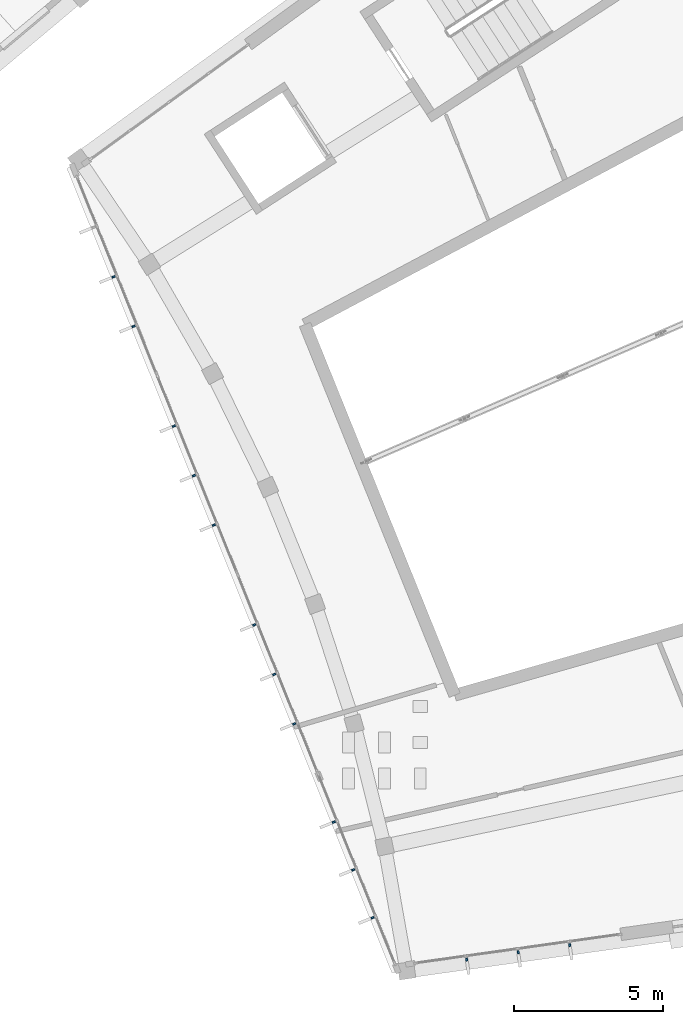
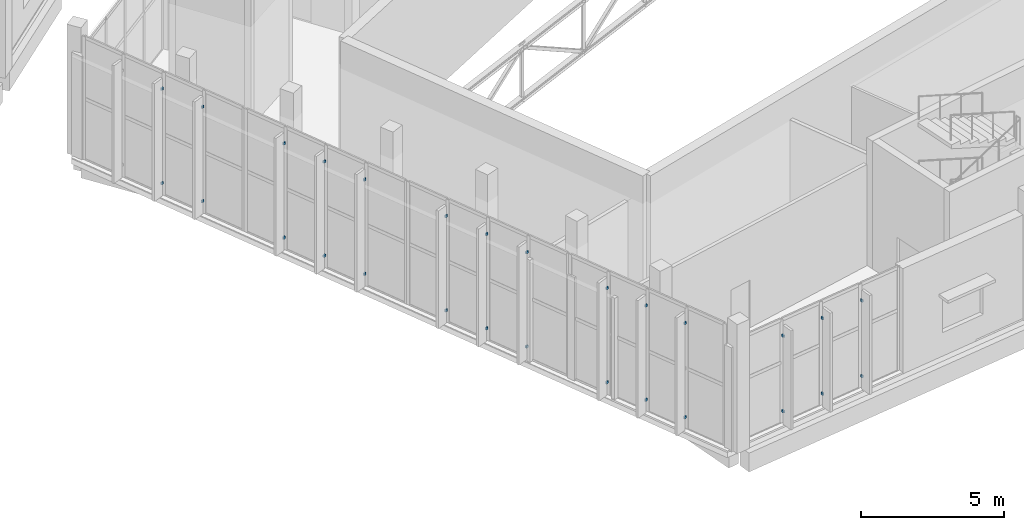
# One storey, part 74 of 112: 28 discrete accessories.
"""IFC4 building model written with IfcOpenShell, lengths in metres."""

import ifcopenshell
import ifcopenshell.guid

model = None  # the IFC model being written
_history = None  # IfcOwnerHistory: only IFC2X3 demands one
_inside = {}  # id of a spatial element -> (the spatial element, [elements in it])
_under = {}  # id of a project, library or spatial element -> (it, [spatial elements below it])
_declared = {}  # id of a project -> (the project, [libraries it declares])
_typed = {}  # id of a type object -> (the type object, [elements of that type])
_made_of = {}  # id of a material, layer set ... -> (it, [elements and type objects made of it])


def new_model(schema):
    """Start an empty IFC model of exactly this schema.

    Asked for "IFC4X3", IfcOpenShell would pick the latest addendum, in which some entities
    have other attributes; the version numbers below select the first issue.
    IFC2X3 requires an IfcOwnerHistory on every rooted entity: one is made here for all.
    """
    global model, _history
    if schema == "IFC4X3":
        model = ifcopenshell.file(schema_version=(4, 3, 0, 0))
    else:
        model = ifcopenshell.file(schema=schema)
    _inside.clear()
    _under.clear()
    _declared.clear()
    _typed.clear()
    _made_of.clear()
    _history = None
    if model.schema == "IFC2X3":
        org = make("IfcOrganization", Name="unknown")
        user = make(
            "IfcPersonAndOrganization",
            ThePerson=make("IfcPerson", FamilyName="unknown"),
            TheOrganization=org,
        )
        app = make(
            "IfcApplication",
            ApplicationDeveloper=org,
            Version="unknown",
            ApplicationFullName="unknown",
            ApplicationIdentifier="unknown",
        )
        _history = make(
            "IfcOwnerHistory",
            OwningUser=user,
            OwningApplication=app,
            ChangeAction="ADDED",
            CreationDate=0,
        )
    return model


def make(cls, **values):
    """One entity of the class cls with the attributes given. An attribute that is None is left unset."""
    return model.create_entity(
        cls, **{name: value for name, value in values.items() if value is not None}
    )


def rooted(cls, **values):
    """An entity with a GlobalId (a new one), such as an element, a storey or a relation."""
    return make(cls, GlobalId=ifcopenshell.guid.new(), OwnerHistory=_history, **values)


def si_unit(unit_type, name, prefix=None):
    """IfcSIUnit, for example si_unit("LENGTHUNIT", "METRE", prefix="MILLI")."""
    return make("IfcSIUnit", UnitType=unit_type, Prefix=prefix, Name=name)


def assignment(units):
    """IfcUnitAssignment: the units of a project."""
    return None if units is None else make("IfcUnitAssignment", Units=units)


def point(xyz):
    """IfcCartesianPoint."""
    return None if xyz is None else make("IfcCartesianPoint", Coordinates=xyz)


def direction(xyz):
    """IfcDirection."""
    return None if xyz is None else make("IfcDirection", DirectionRatios=xyz)


def frame(location, z_axis=None, x_axis=None):
    """IfcAxis2Placement3D, a coordinate frame: its origin and axes. An axis left out is left unset."""
    return make(
        "IfcAxis2Placement3D",
        Location=point(location),
        Axis=direction(z_axis),
        RefDirection=direction(x_axis),
    )


def frame_2d(location, x_axis=None):
    """IfcAxis2Placement2D, a coordinate frame in the plane: its origin and x axis."""
    return make(
        "IfcAxis2Placement2D", Location=point(location), RefDirection=direction(x_axis)
    )


def origin():
    """The frame at (0, 0, 0) with its axes left unset."""
    return frame((0.0, 0.0, 0.0))


def origin_2d():
    """The frame at (0, 0) in the plane with its x axis left unset."""
    return frame_2d((0.0, 0.0))


def place(relative_to, where):
    """IfcLocalPlacement: puts the frame where relative to a parent placement (None: the world)."""
    return make(
        "IfcLocalPlacement", PlacementRelTo=relative_to, RelativePlacement=where
    )


def context(
    kind, dimensions, precision=None, world=None, true_north=None, identifier=None
):
    """IfcGeometricRepresentationContext, for example the 3D "Model" context."""
    return make(
        "IfcGeometricRepresentationContext",
        ContextIdentifier=identifier,
        ContextType=kind,
        CoordinateSpaceDimension=dimensions,
        Precision=precision,
        WorldCoordinateSystem=world,
        TrueNorth=true_north,
    )


def subcontext(parent, identifier, kind, view, scale=None):
    """IfcGeometricRepresentationSubContext, for example "Body" below "Model"."""
    return make(
        "IfcGeometricRepresentationSubContext",
        ContextIdentifier=identifier,
        ContextType=kind,
        ParentContext=parent,
        TargetScale=scale,
        TargetView=view,
    )


def project(units=None, contexts=None):
    """IfcProject with its units and contexts."""
    return rooted(
        "IfcProject",
        Name="project",
        RepresentationContexts=contexts,
        UnitsInContext=assignment(units),
    )


def spatial(cls, under=None, at=None, **own):
    """A site, building, storey or space (cls), placed at a placement, below another one or the project."""
    s = rooted(cls, ObjectPlacement=at, **own)
    if under is not None:
        _under.setdefault(under.id(), (under, []))[1].append(s)
    return s


def profile(cls, at=None, kind="AREA", **sizes):
    """A parametric profile (cls). Its sizes go by their IFC names, for example OverallWidth=200.0."""
    return make(cls, ProfileType=kind, Position=at, **sizes)


def rectangle(**sizes):
    """IfcRectangleProfileDef."""
    return profile("IfcRectangleProfileDef", **sizes)


def extrude(swept, where, along, depth):
    """IfcExtrudedAreaSolid: the profile swept, set in the frame where, extruded along a direction by depth."""
    return make(
        "IfcExtrudedAreaSolid",
        SweptArea=swept,
        Position=where,
        ExtrudedDirection=direction(along),
        Depth=depth,
    )


def shape(context_of_items, identifier, shape_type, items):
    """IfcShapeRepresentation: the items that make up one representation, for example the "Body"."""
    return make(
        "IfcShapeRepresentation",
        ContextOfItems=context_of_items,
        RepresentationIdentifier=identifier,
        RepresentationType=shape_type,
        Items=items,
    )


def material(Name=None, Category=None):
    """IfcMaterial."""
    return make("IfcMaterial", Name=Name, Category=Category)


def made_of(thing, what):
    """Note that an element or type object is made of a material, layer set ...; save() writes the relation."""
    if what is not None:
        _made_of.setdefault(what.id(), (what, []))[1].append(thing)
    return thing


def type_object(cls, material=None, **own):
    """A type object (cls), such as IfcWallType, which elements share."""
    return made_of(rooted(cls, **own), material)


def element(
    cls,
    number,
    at=None,
    inside=None,
    cuts=None,
    type_object=None,
    material=None,
    context=None,
    identifier="Body",
    shape_type=None,
    held_by="IfcProductDefinitionShape",
    body=None,
    shapes=None,
    **own,
):
    """One element of the class cls, such as IfcWall. Its Tag is "e" and its number.

    at: its placement. inside: the storey or other place that contains it. cuts: it is an
    opening in that element (IfcRelVoidsElement). A single representation is given by context,
    identifier, shape_type and body (its items); several are given by shapes. held_by: the class
    of the entity that holds the representations. save() writes the other relations.
    """
    e = rooted(cls, Tag="e%d" % number, ObjectPlacement=at, **own)
    if body is not None:
        shapes = [shape(context, identifier, shape_type, body)]
    if shapes is not None:
        e.Representation = make(held_by, Representations=shapes)
    if inside is not None:
        _inside.setdefault(inside.id(), (inside, []))[1].append(e)
    if cuts is not None:
        rooted(
            "IfcRelVoidsElement", RelatingBuildingElement=cuts, RelatedOpeningElement=e
        )
    if type_object is not None:
        _typed.setdefault(type_object.id(), (type_object, []))[1].append(e)
    return made_of(e, material)


def aggregate(whole, parts):
    """IfcRelAggregates: a whole, such as a stair, and the parts it consists of."""
    return rooted("IfcRelAggregates", RelatingObject=whole, RelatedObjects=parts)


def save(model, path):
    """Write the relations noted so far, then the file.

    IfcRelAggregates (storeys below a building ...), IfcRelContainedInSpatialStructure (elements
    in a storey), IfcRelDefinesByType, IfcRelAssociatesMaterial and IfcRelDeclares: one each for
    every whole, place, type object, material and project.
    """
    for whole, parts in _under.values():
        aggregate(whole, parts)
    for where, things in _inside.values():
        rooted(
            "IfcRelContainedInSpatialStructure",
            RelatedElements=things,
            RelatingStructure=where,
        )
    for kind, things in _typed.values():
        rooted("IfcRelDefinesByType", RelatedObjects=things, RelatingType=kind)
    for what, things in _made_of.values():
        rooted("IfcRelAssociatesMaterial", RelatedObjects=things, RelatingMaterial=what)
    for by, libraries in _declared.values():
        rooted("IfcRelDeclares", RelatingContext=by, RelatedDefinitions=libraries)
    model.write(path)


model = new_model("IFC4")

# Units and contexts
model_context = context("Model", 3, precision=1e-05, world=origin(), true_north=direction((0.0, 1.0)))
body_context = subcontext(model_context, "Body", "Model", "MODEL_VIEW")
ifc_project = project(units=[si_unit("LENGTHUNIT", "METRE"), si_unit("AREAUNIT", "SQUARE_METRE"), si_unit("VOLUMEUNIT", "CUBIC_METRE"), si_unit("PLANEANGLEUNIT", "RADIAN"), si_unit("MASSUNIT", "GRAM", prefix="KILO")], contexts=[model_context])

# Site, building, storey
site_placement = place(None, origin())
site = spatial("IfcSite", under=ifc_project, at=site_placement, CompositionType="ELEMENT")
building_placement = place(site_placement, origin())
building = spatial("IfcBuilding", under=site, at=building_placement, Name="Lunette Opera House", CompositionType="ELEMENT")
storey_placement = place(building_placement, frame((0.0, 0.0, 6.0)))
storey = spatial("IfcBuildingStorey", under=building, at=storey_placement, Name="L01", CompositionType="ELEMENT", Elevation=6.0)

# Discrete accessories
ifc_material = material(Name="Galvanised steel", Category="steel")
discrete_accessory_type = type_object("IfcDiscreteAccessoryType", Name="FIN BRACKET STEEL", PredefinedType="BRACKET", material=ifc_material)
for number, where, z_axis, x_axis, name in (
    (1, (146.10302734375, 31.64208984375, 0.56494140625), (0.0, 0.0, 1.0), (-0.927168162269, -0.374645430874, 0.0), "Fin bracket SB-X2008 2 1"),
    (2, (146.10302734375, 31.64208984375, 4.579833984375), (0.0, 0.0, 1.0), (-0.927168162269, -0.374645430874, 0.0), "Fin bracket SB-X2008 2 2"),
    (3, (146.77197265625, 29.985107421875, 0.56494140625), (0.0, 0.0, 1.0), (-0.927168162269, -0.374645430874, 0.0), "Fin bracket SB-X2008 3 1"),
    (4, (146.77197265625, 29.985107421875, 4.579833984375), (0.0, 0.0, 1.0), (-0.927168162269, -0.374645430874, 0.0), "Fin bracket SB-X2008 3 2"),
    (5, (148.1220703125, 26.64501953125, 0.56494140625), (0.0, 0.0, 1.0), (-0.927187777387, -0.374596883949, 0.0), "Fin bracket SB-X2009 1 1"),
    (6, (148.1220703125, 26.64501953125, 4.579833984375), (0.0, 0.0, 1.0), (-0.927187777387, -0.374596883949, 0.0), "Fin bracket SB-X2009 1 2"),
    (7, (148.791015625, 24.988037109375, 0.56494140625), (0.0, 0.0, 1.0), (-0.927187777387, -0.374596883949, 0.0), "Fin bracket SB-X2009 2 1"),
    (8, (148.791015625, 24.988037109375, 4.579833984375), (0.0, 0.0, 1.0), (-0.927187777387, -0.374596883949, 0.0), "Fin bracket SB-X2009 2 2"),
    (9, (149.4599609375, 23.33203125, 0.56494140625), (0.0, 0.0, 1.0), (-0.927187777387, -0.374596883949, 0.0), "Fin bracket SB-X2009 3 1"),
    (10, (149.4599609375, 23.33203125, 4.579833984375), (0.0, 0.0, 1.0), (-0.927187777387, -0.374596883949, 0.0), "Fin bracket SB-X2009 3 2"),
    (11, (150.81005859375, 19.990966796875, 0.56494140625), (0.0, 0.0, 1.0), (-0.927168162269, -0.374645430874, 0.0), "Fin bracket SB-X2010 1 1"),
    (12, (150.81005859375, 19.990966796875, 4.579833984375), (0.0, 0.0, 1.0), (-0.927168162269, -0.374645430874, 0.0), "Fin bracket SB-X2010 1 2"),
    (13, (151.47900390625, 18.3349609375, 0.56494140625), (0.0, 0.0, 1.0), (-0.927168162269, -0.374645430874, 0.0), "Fin bracket SB-X2010 2 1"),
    (14, (151.47900390625, 18.3349609375, 4.579833984375), (0.0, 0.0, 1.0), (-0.927168162269, -0.374645430874, 0.0), "Fin bracket SB-X2010 2 2"),
    (15, (152.14794921875, 16.677978515625, 0.56494140625), (0.0, 0.0, 1.0), (-0.927168162269, -0.374645430874, 0.0), "Fin bracket SB-X2010 3 1"),
    (16, (152.14794921875, 16.677978515625, 4.579833984375), (0.0, 0.0, 1.0), (-0.927168162269, -0.374645430874, 0.0), "Fin bracket SB-X2010 3 2"),
    (17, (153.47509765625, 13.39306640625, 0.56494140625), (0.0, 0.0, 1.0), (-0.927182546937, -0.374609829896, 0.0), "Fin bracket SB-X2011 1 1"),
    (18, (153.47509765625, 13.39306640625, 4.579833984375), (0.0, 0.0, 1.0), (-0.927182546937, -0.374609829896, 0.0), "Fin bracket SB-X2011 1 2"),
    (19, (154.1220703125, 11.79296875, 0.56494140625), (0.0, 0.0, 1.0), (-0.927182546937, -0.374609829896, 0.0), "Fin bracket SB-X2011 2 1"),
    (20, (154.1220703125, 11.79296875, 4.579833984375), (0.0, 0.0, 1.0), (-0.927182546937, -0.374609829896, 0.0), "Fin bracket SB-X2011 2 2"),
    (21, (154.76904296875, 10.19189453125, 0.56494140625), (0.0, 0.0, 1.0), (-0.927182546937, -0.374609829896, 0.0), "Fin bracket SB-X2011 3 1"),
    (22, (154.76904296875, 10.19189453125, 4.579833984375), (0.0, 0.0, 1.0), (-0.927182546937, -0.374609829896, 0.0), "Fin bracket SB-X2011 3 2"),
    (23, (157.924072265625, 8.79296875, 0.56494140625), (0.0, 0.0, 1.0), (0.139209396087, -0.990262967116, 0.0), "Fin bracket SB-X2012 1 1"),
    (24, (157.924072265625, 8.79296875, 3.780029296875), (0.0, 0.0, 1.0), (0.139209396087, -0.990262967116, 0.0), "Fin bracket SB-X2012 1 2"),
    (25, (159.64697265625, 9.035888671875, 0.56494140625), (0.0, 0.0, 1.0), (0.139209396087, -0.990262967116, 0.0), "Fin bracket SB-X2012 2 1"),
    (26, (159.64697265625, 9.035888671875, 3.780029296875), (0.0, 0.0, 1.0), (0.139209396087, -0.990262967116, 0.0), "Fin bracket SB-X2012 2 2"),
    (27, (161.3701171875, 9.278076171875, 0.56494140625), (0.0, 0.0, 1.0), (0.139209396087, -0.990262967116, 0.0), "Fin bracket SB-X2012 3 1"),
    (28, (161.3701171875, 9.278076171875, 3.780029296875), (0.0, 0.0, 1.0), (0.139209396087, -0.990262967116, 0.0), "Fin bracket SB-X2012 3 2"),
):
    element("IfcDiscreteAccessory", number, at=place(storey_placement, frame(where, z_axis=z_axis, x_axis=x_axis)), inside=storey, type_object=discrete_accessory_type, Name=name, PredefinedType="BRACKET", context=body_context, shape_type="SweptSolid", body=[
        extrude(rectangle(XDim=0.10009765625, YDim=0.06005859375, at=origin_2d()), origin(), (0.0, 0.0, 1.0), 0.10009765625),
    ])

save(model, "model.ifc")
